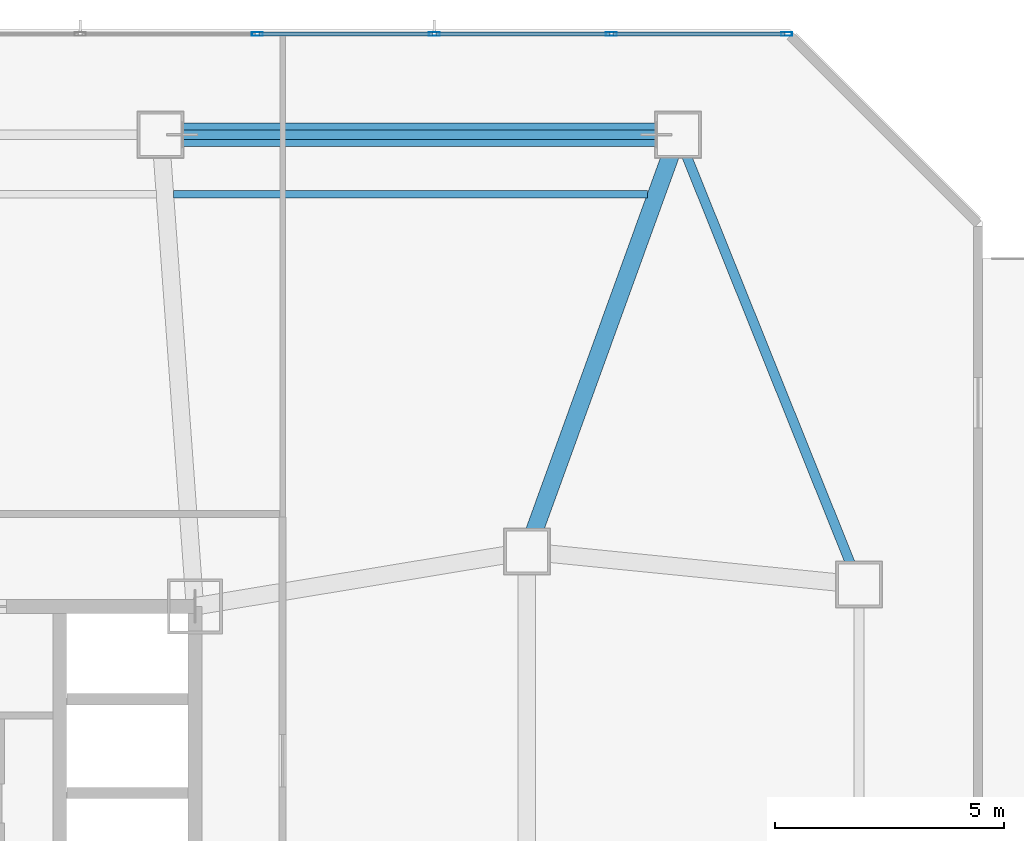
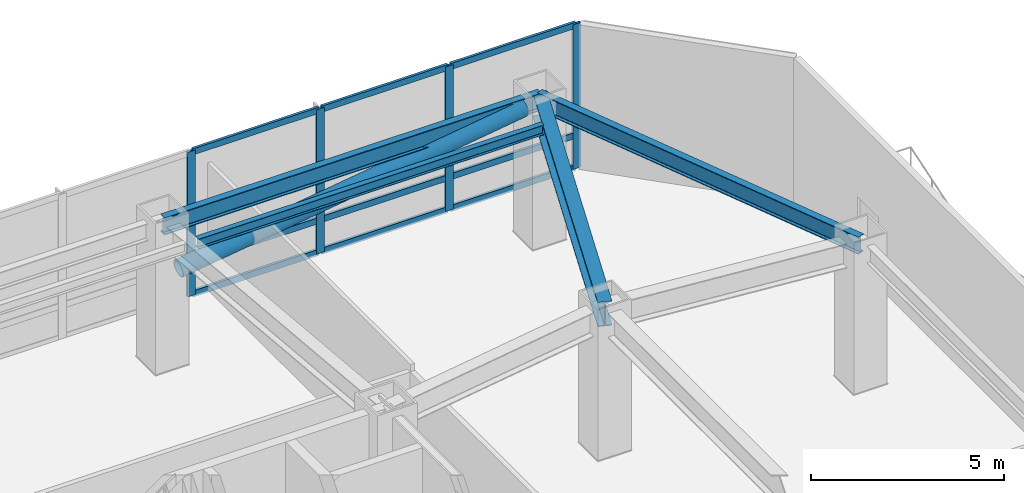
# One storey, part 4 of 14: 14 members, 4 beams, 1 element without a shape of its own.
"""IFC4 building model written with IfcOpenShell, lengths in metres."""

from ifc_helpers import new_model, si_unit, direction, frame, origin, origin_2d, place, context, subcontext, project, spatial, hollow_rectangle, hollow_circle, i_section, extrude, material, material_profile, profile_set, type_object, element, aggregate, save


model = new_model("IFC4")

# Units and contexts
model_context = context("Model", 3, precision=1e-05, world=origin(), true_north=direction((0.0, 1.0)))
body_context = subcontext(model_context, "Body", "Model", "MODEL_VIEW")
ifc_project = project(units=[si_unit("LENGTHUNIT", "METRE"), si_unit("AREAUNIT", "SQUARE_METRE"), si_unit("VOLUMEUNIT", "CUBIC_METRE"), si_unit("PLANEANGLEUNIT", "RADIAN"), si_unit("MASSUNIT", "GRAM", prefix="KILO")], contexts=[model_context])

# Site, building, storey
site_placement = place(None, origin())
site = spatial("IfcSite", under=ifc_project, at=site_placement, CompositionType="ELEMENT")
building_placement = place(site_placement, origin())
building = spatial("IfcBuilding", under=site, at=building_placement, Name="Khamvora Tower", CompositionType="ELEMENT")
storey_placement = place(building_placement, frame((0.0, 0.0, 89.800048828125)))
storey = spatial("IfcBuildingStorey", under=building, at=storey_placement, Name="L22", CompositionType="ELEMENT", Elevation=89.800048828125)

# Beams
ifc_material_1 = material(Name="Steel S355", Category="steel")
ifc_material_profile_1 = material_profile(ifc_material_1, i_section(OverallWidth=0.166015625, OverallDepth=0.31298828125, WebThickness=0.007080078125, FlangeThickness=0.010986328125, FilletRadius=0.010009765625, at=origin_2d()), Name="W310x45")
ifc_profile_set_1 = profile_set([ifc_material_profile_1], Name="Steel S355")
beam_type_1 = type_object("IfcBeamType", Name="BM-JS-W310x45", PredefinedType="JOIST", material=ifc_profile_set_1)
beam_1_placement = place(storey_placement, frame((38.930908203125, 46.0, 4.424072265625), z_axis=(1.0, 0.0, 0.0), x_axis=(0.0, 1.0, 0.0)))
element("IfcBeam", 1, at=beam_1_placement, inside=storey, type_object=beam_type_1, Name="L22 secondary floor joist 08", PredefinedType="JOIST", context=body_context, shape_type="SweptSolid", body=[
    extrude(i_section(OverallWidth=0.166015625, OverallDepth=0.31298828125, WebThickness=0.007080078125, FlangeThickness=0.010986328125, FilletRadius=0.010009765625, at=origin_2d()), origin(), (0.0, 0.0, 1.0), 10.35009765625),
])
ifc_material_profile_2 = material_profile(ifc_material_1, i_section(OverallWidth=0.381103515625, OverallDepth=0.77294921875, WebThickness=0.01708984375, FlangeThickness=0.027099609375, FilletRadius=0.01806640625, at=origin_2d()), Name="W760x257")
ifc_profile_set_2 = profile_set([ifc_material_profile_2], Name="Steel S355")
beam_type_2 = type_object("IfcBeamType", Name="BM-PG-W760x257", PredefinedType="BEAM", material=ifc_profile_set_2)
beam_2_placement = place(storey_placement, frame((46.64990234375, 38.199951171875, 4.19287109375), z_axis=(0.340914681567, 0.940094239899, 0.0), x_axis=(-0.940094239899, 0.340914681567, 0.0)))
element("IfcBeam", 2, at=beam_2_placement, inside=storey, type_object=beam_type_2, Name="L22 primary floor girder N4", PredefinedType="BEAM", context=body_context, shape_type="SweptSolid", body=[
    extrude(i_section(OverallWidth=0.381103515625, OverallDepth=0.77294921875, WebThickness=0.01708984375, FlangeThickness=0.027099609375, FilletRadius=0.01806640625, at=origin_2d()), origin(), (0.0, 0.0, 1.0), 9.679931640625),
])
ifc_material_profile_3 = material_profile(ifc_material_1, i_section(OverallWidth=0.2119140625, OverallDepth=0.5439453125, WebThickness=0.012939453125, FlangeThickness=0.02099609375, FilletRadius=0.013916015625, at=origin_2d()), Name="W530x123")
ifc_profile_set_3 = profile_set([ifc_material_profile_3], Name="Steel S355")
beam_type_3 = type_object("IfcBeamType", Name="BM-SP-W530x123", PredefinedType="SPANDREL", material=ifc_profile_set_3)
beam_3_placement = place(storey_placement, frame((53.89990234375, 37.47509765625, 4.307861328125), z_axis=(-0.373015921536, 0.927824941614, 0.0), x_axis=(-0.927824941614, -0.373015921536, 0.0)))
element("IfcBeam", 3, at=beam_3_placement, inside=storey, type_object=beam_type_3, Name="L22 perimeter spandrel beam E2-N4", PredefinedType="SPANDREL", context=body_context, shape_type="SweptSolid", body=[
    extrude(i_section(OverallWidth=0.2119140625, OverallDepth=0.5439453125, WebThickness=0.012939453125, FlangeThickness=0.02099609375, FilletRadius=0.013916015625, at=origin_2d()), origin(), (0.0, 0.0, 1.0), 10.589111328125),
])
beam_4_placement = place(storey_placement, frame((49.949951171875, 47.300048828125, 4.307861328125), z_axis=(-1.0, 0.0, 0.0), x_axis=(0.0, -1.0, 0.0)))
element("IfcBeam", 4, at=beam_4_placement, inside=storey, type_object=beam_type_3, Name="L22 perimeter spandrel beam N4-N3", PredefinedType="SPANDREL", context=body_context, shape_type="SweptSolid", body=[
    extrude(i_section(OverallWidth=0.2119140625, OverallDepth=0.5439453125, WebThickness=0.012939453125, FlangeThickness=0.02099609375, FilletRadius=0.013916015625, at=origin_2d()), origin(), (0.0, 0.0, 1.0), 11.300048828125),
])

# Curtain wall, members
ifc_material_2 = material(Name="Anodised Aluminium 6063-T6", Category="aluminium")
curtain_wall_type = type_object("IfcCurtainWallType", Name="CW-SYS-06", PredefinedType="NOTDEFINED", material=ifc_material_2)
curtain_wall_placement = place(storey_placement, origin())
curtain_wall = element("IfcCurtainWall", 5, at=curtain_wall_placement, inside=storey, type_object=curtain_wall_type, Name="L22 stick curtain wall 07.1", PredefinedType="NOTDEFINED")
ifc_material_profile_4 = material_profile(ifc_material_2, hollow_rectangle(XDim=0.080078125, YDim=0.239990234375, WallThickness=0.0048828125, at=origin_2d()), Name="MUL80x240x5")
ifc_profile_set_4 = profile_set([ifc_material_profile_4], Name="Anodised Aluminium 6063-T6")
member_type_1 = type_object("IfcMemberType", Name="CW-SYS-06-MUL", PredefinedType="MULLION", material=ifc_profile_set_4)
member_1_placement = place(storey_placement, frame((40.761962890625, 49.5, 0.0), z_axis=(0.0, 0.0, 1.0), x_axis=(0.0, 1.0, 0.0)))
member_1 = element("IfcMember", 6, at=member_1_placement, type_object=member_type_1, Name="CW-06 mullion 8", PredefinedType="MULLION", context=body_context, shape_type="SweptSolid", body=[
    extrude(hollow_rectangle(XDim=0.080078125, YDim=0.239990234375, WallThickness=0.0048828125, at=origin_2d()), origin(), (0.0, 0.0, 1.0), 4.579833984375),
])
member_2_placement = place(storey_placement, frame((44.627685546875, 49.5, 0.0), z_axis=(0.0, 0.0, 1.0), x_axis=(0.0, 1.0, 0.0)))
member_2 = element("IfcMember", 7, at=member_2_placement, type_object=member_type_1, Name="CW-06 mullion 9", PredefinedType="MULLION", context=body_context, shape_type="SweptSolid", body=[
    extrude(hollow_rectangle(XDim=0.080078125, YDim=0.239990234375, WallThickness=0.0048828125, at=origin_2d()), origin(), (0.0, 0.0, 1.0), 4.579833984375),
])
member_3_placement = place(storey_placement, frame((48.493408203125, 49.5, 0.0), z_axis=(0.0, 0.0, 1.0), x_axis=(0.0, 1.0, 0.0)))
member_3 = element("IfcMember", 8, at=member_3_placement, type_object=member_type_1, Name="CW-06 mullion 10", PredefinedType="MULLION", context=body_context, shape_type="SweptSolid", body=[
    extrude(hollow_rectangle(XDim=0.080078125, YDim=0.239990234375, WallThickness=0.0048828125, at=origin_2d()), origin(), (0.0, 0.0, 1.0), 4.579833984375),
])
member_4_placement = place(storey_placement, frame((52.319091796875, 49.5, 0.0), z_axis=(0.0, 0.0, 1.0), x_axis=(0.0, 1.0, 0.0)))
member_4 = element("IfcMember", 9, at=member_4_placement, type_object=member_type_1, Name="CW-06 mullion 11", PredefinedType="MULLION", context=body_context, shape_type="SweptSolid", body=[
    extrude(hollow_rectangle(XDim=0.080078125, YDim=0.239990234375, WallThickness=0.0048828125, at=origin_2d()), origin(), (0.0, 0.0, 1.0), 4.579833984375),
])
ifc_material_profile_5 = material_profile(ifc_material_2, hollow_rectangle(XDim=0.080078125, YDim=0.195068359375, WallThickness=0.0048828125, at=origin_2d()), Name="TRN80x195x5")
ifc_profile_set_5 = profile_set([ifc_material_profile_5], Name="Anodised Aluminium 6063-T6")
member_type_2 = type_object("IfcMemberType", Name="CW-SYS-06-TRN", PredefinedType="USERDEFINED", material=ifc_profile_set_5)
member_5_placement = place(storey_placement, frame((40.802001953125, 49.5, 0.0400390625), z_axis=(1.0, 0.0, 0.0), x_axis=(0.0, 1.0, 0.0)))
member_5 = element("IfcMember", 10, at=member_5_placement, type_object=member_type_2, Name="CW-06 transom 8.1", ObjectType="TRANSOM", PredefinedType="USERDEFINED", context=body_context, shape_type="SweptSolid", body=[
    extrude(hollow_rectangle(XDim=0.080078125, YDim=0.195068359375, WallThickness=0.0048828125, at=origin_2d()), origin(), (0.0, 0.0, 1.0), 3.78564453125),
])
member_6_placement = place(storey_placement, frame((40.802001953125, 49.5, 1.050048828125), z_axis=(1.0, 0.0, 0.0), x_axis=(0.0, 1.0, 0.0)))
member_6 = element("IfcMember", 11, at=member_6_placement, type_object=member_type_2, Name="CW-06 transom 8.2", ObjectType="TRANSOM", PredefinedType="USERDEFINED", context=body_context, shape_type="SweptSolid", body=[
    extrude(hollow_rectangle(XDim=0.080078125, YDim=0.195068359375, WallThickness=0.0048828125, at=origin_2d()), origin(), (0.0, 0.0, 1.0), 3.78564453125),
])
member_7_placement = place(storey_placement, frame((40.802001953125, 49.5, 4.5400390625), z_axis=(1.0, 0.0, 0.0), x_axis=(0.0, 1.0, 0.0)))
member_7 = element("IfcMember", 12, at=member_7_placement, type_object=member_type_2, Name="CW-06 transom 8.3", ObjectType="TRANSOM", PredefinedType="USERDEFINED", context=body_context, shape_type="SweptSolid", body=[
    extrude(hollow_rectangle(XDim=0.080078125, YDim=0.195068359375, WallThickness=0.0048828125, at=origin_2d()), origin(), (0.0, 0.0, 1.0), 3.78564453125),
])
member_8_placement = place(storey_placement, frame((44.66748046875, 49.5, 0.0400390625), z_axis=(1.0, 0.0, 0.0), x_axis=(0.0, 1.0, 0.0)))
member_8 = element("IfcMember", 13, at=member_8_placement, type_object=member_type_2, Name="CW-06 transom 9.1", ObjectType="TRANSOM", PredefinedType="USERDEFINED", context=body_context, shape_type="SweptSolid", body=[
    extrude(hollow_rectangle(XDim=0.080078125, YDim=0.195068359375, WallThickness=0.0048828125, at=origin_2d()), origin(), (0.0, 0.0, 1.0), 3.785888671875),
])
member_9_placement = place(storey_placement, frame((44.66748046875, 49.5, 1.050048828125), z_axis=(1.0, 0.0, 0.0), x_axis=(0.0, 1.0, 0.0)))
member_9 = element("IfcMember", 14, at=member_9_placement, type_object=member_type_2, Name="CW-06 transom 9.2", ObjectType="TRANSOM", PredefinedType="USERDEFINED", context=body_context, shape_type="SweptSolid", body=[
    extrude(hollow_rectangle(XDim=0.080078125, YDim=0.195068359375, WallThickness=0.0048828125, at=origin_2d()), origin(), (0.0, 0.0, 1.0), 3.785888671875),
])
member_10_placement = place(storey_placement, frame((44.66748046875, 49.5, 4.5400390625), z_axis=(1.0, 0.0, 0.0), x_axis=(0.0, 1.0, 0.0)))
member_10 = element("IfcMember", 15, at=member_10_placement, type_object=member_type_2, Name="CW-06 transom 9.3", ObjectType="TRANSOM", PredefinedType="USERDEFINED", context=body_context, shape_type="SweptSolid", body=[
    extrude(hollow_rectangle(XDim=0.080078125, YDim=0.195068359375, WallThickness=0.0048828125, at=origin_2d()), origin(), (0.0, 0.0, 1.0), 3.785888671875),
])
member_11_placement = place(storey_placement, frame((48.533203125, 49.5, 0.0400390625), z_axis=(1.0, 0.0, 0.0), x_axis=(0.0, 1.0, 0.0)))
member_11 = element("IfcMember", 16, at=member_11_placement, type_object=member_type_2, Name="CW-06 transom 10.1", ObjectType="TRANSOM", PredefinedType="USERDEFINED", context=body_context, shape_type="SweptSolid", body=[
    extrude(hollow_rectangle(XDim=0.080078125, YDim=0.195068359375, WallThickness=0.0048828125, at=origin_2d()), origin(), (0.0, 0.0, 1.0), 3.745849609375),
])
member_12_placement = place(storey_placement, frame((48.533203125, 49.5, 1.050048828125), z_axis=(1.0, 0.0, 0.0), x_axis=(0.0, 1.0, 0.0)))
member_12 = element("IfcMember", 17, at=member_12_placement, type_object=member_type_2, Name="CW-06 transom 10.2", ObjectType="TRANSOM", PredefinedType="USERDEFINED", context=body_context, shape_type="SweptSolid", body=[
    extrude(hollow_rectangle(XDim=0.080078125, YDim=0.195068359375, WallThickness=0.0048828125, at=origin_2d()), origin(), (0.0, 0.0, 1.0), 3.745849609375),
])
member_13_placement = place(storey_placement, frame((48.533203125, 49.5, 4.5400390625), z_axis=(1.0, 0.0, 0.0), x_axis=(0.0, 1.0, 0.0)))
member_13 = element("IfcMember", 18, at=member_13_placement, type_object=member_type_2, Name="CW-06 transom 10.3", ObjectType="TRANSOM", PredefinedType="USERDEFINED", context=body_context, shape_type="SweptSolid", body=[
    extrude(hollow_rectangle(XDim=0.080078125, YDim=0.195068359375, WallThickness=0.0048828125, at=origin_2d()), origin(), (0.0, 0.0, 1.0), 3.745849609375),
])
aggregate(curtain_wall, [member_1, member_2, member_3, member_4, member_5, member_6, member_7, member_8, member_9, member_10, member_11, member_12, member_13])

# Member
ifc_material_3 = material(Name="Steel S460", Category="steel")
ifc_material_profile_6 = material_profile(ifc_material_3, hollow_circle(Radius=0.25390625, WallThickness=0.02490234375, at=origin_2d()), Name="CHS508x25")
ifc_profile_set_6 = profile_set([ifc_material_profile_6], Name="Steel S460")
member_type_3 = type_object("IfcMemberType", Name="MEM-BR-CHS508", PredefinedType="BRACE", material=ifc_profile_set_6)
member_14_placement = place(storey_placement, frame((39.125, 47.300048828125, 2.7490234375), z_axis=(0.989756672957, 0.0, 0.142764590629), x_axis=(0.0, 1.0, 0.0)))
element("IfcMember", 19, at=member_14_placement, inside=storey, type_object=member_type_3, Name="L22 perimeter wind brace 2", PredefinedType="BRACE", context=body_context, shape_type="SweptSolid", body=[
    extrude(hollow_circle(Radius=0.25390625, WallThickness=0.02490234375, at=origin_2d()), origin(), (0.0, 0.0, 1.0), 10.457275390625),
])

save(model, "model.ifc")
